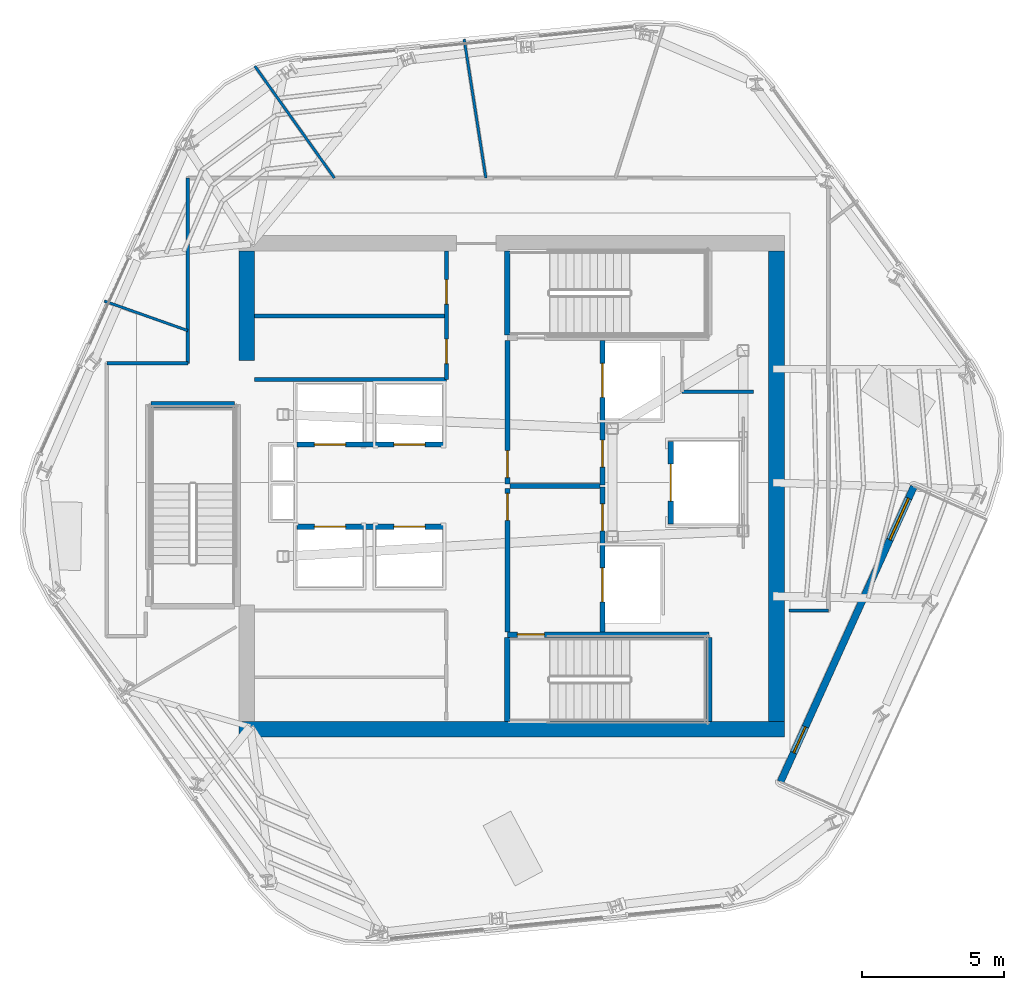
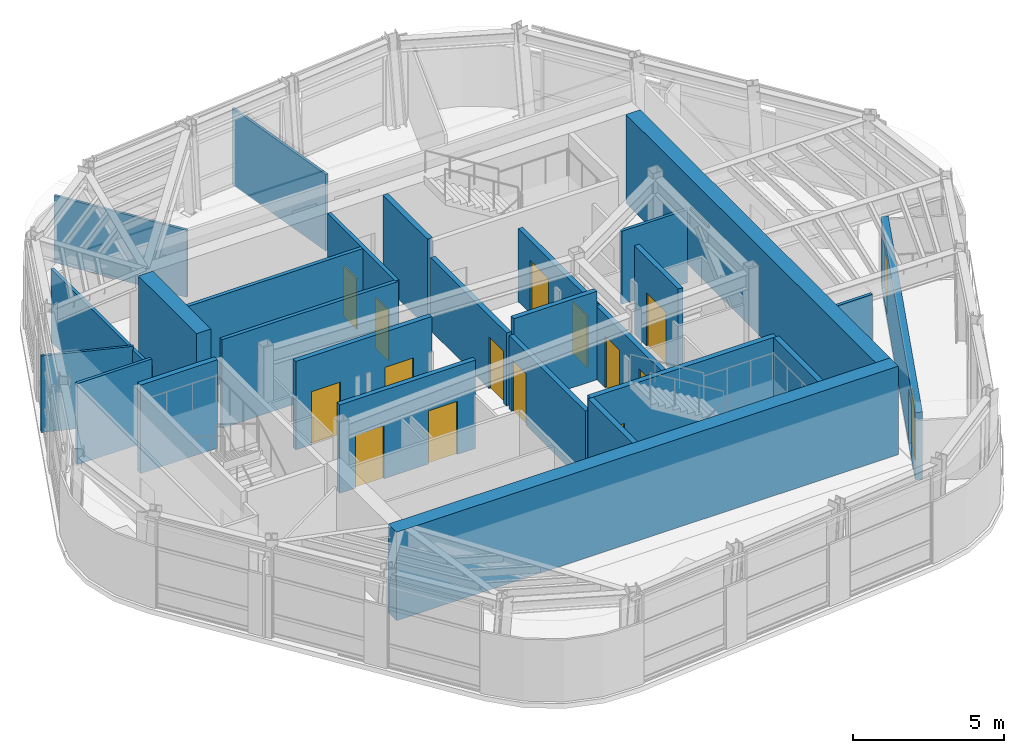
# One storey, part 6 of 12: 27 walls, 15 doors, 1 window, 16 openings.
"""IFC4 building model written with IfcOpenShell, lengths in metres."""

from ifc_helpers import new_model, si_unit, direction, frame, frame_2d, origin, place, context, subcontext, project, spatial, rectangle, extrude, material, layer, layer_set, type_object, element, fill, save


model = new_model("IFC4")

# Units and contexts
model_context = context("Model", 3, precision=1e-05, world=origin(), true_north=direction((0.0, 1.0)))
body_context = subcontext(model_context, "Body", "Model", "MODEL_VIEW")
ifc_project = project(units=[si_unit("LENGTHUNIT", "METRE"), si_unit("AREAUNIT", "SQUARE_METRE"), si_unit("VOLUMEUNIT", "CUBIC_METRE"), si_unit("PLANEANGLEUNIT", "RADIAN"), si_unit("MASSUNIT", "GRAM", prefix="KILO")], contexts=[model_context])

# Site, building, storey
site_placement = place(None, origin())
site = spatial("IfcSite", under=ifc_project, at=site_placement, CompositionType="ELEMENT")
building_placement = place(site_placement, origin())
building = spatial("IfcBuilding", under=site, at=building_placement, Name="Valkerne Bourse Tower", CompositionType="ELEMENT")
storey_placement = place(building_placement, frame((0.0, 0.0, 307.800048828125)))
storey = spatial("IfcBuildingStorey", under=building, at=storey_placement, Name="L78", CompositionType="ELEMENT", Elevation=307.800048828125)

# Walls
ifc_material_1 = material(Name="Concrete C55/67", Category="concrete")
ifc_layer_1 = layer(ifc_material_1, 0.550048828125)
ifc_layer_set_1 = layer_set([ifc_layer_1], Name="Concrete C55/67")
wall_type_1 = type_object("IfcWallType", Name="W-CORE-550", PredefinedType="SHEAR", material=ifc_layer_set_1)
wall_1_placement = place(storey_placement, frame((37.199951171875, 18.324951171875, 0.0), z_axis=(0.0, 0.0, 1.0), x_axis=(1.0, 0.0, 0.0)))
element("IfcWall", 1, at=wall_1_placement, inside=storey, type_object=wall_type_1, Name="L78 Core Shear Wall SOUTH", PredefinedType="SHEAR", context=body_context, shape_type="SweptSolid", body=[
    extrude(rectangle(XDim=19.199951171875, YDim=0.550048828125, at=frame_2d((9.60009765625, 0.0))), origin(), (0.0, 0.0, 1.0), 3.579833984375),
])
wall_2_placement = place(storey_placement, frame((56.125, 18.60009765625, 0.0), z_axis=(0.0, 0.0, 1.0), x_axis=(0.0, 1.0, 0.0)))
element("IfcWall", 2, at=wall_2_placement, inside=storey, type_object=wall_type_1, Name="L78 Core Shear Wall EAST", PredefinedType="SHEAR", context=body_context, shape_type="SweptSolid", body=[
    extrude(rectangle(XDim=16.5498046875, YDim=0.550048828125, at=frame_2d((8.27490234375, 0.0))), origin(), (0.0, 0.0, 1.0), 3.579833984375),
])
wall_3_placement = place(storey_placement, frame((37.47509765625, 31.300048828125, 0.0), z_axis=(0.0, 0.0, 1.0), x_axis=(0.0, 1.0, 0.0)))
element("IfcWall", 3, at=wall_3_placement, inside=storey, type_object=wall_type_1, Name="L78 Core Shear Wall WEST-N", PredefinedType="SHEAR", context=body_context, shape_type="SweptSolid", body=[
    extrude(rectangle(XDim=3.849853515625, YDim=0.550048828125, at=frame_2d((1.9248046875, 0.0))), origin(), (0.0, 0.0, 1.0), 3.579833984375),
])
ifc_material_2 = material(Name="Gypsum Board Steel-Stud Partition", Category="steel")
ifc_layer_2 = layer(ifc_material_2, 0.117919921875)
ifc_layer_set_2 = layer_set([ifc_layer_2], Name="Gypsum Board Steel-Stud Partition")
wall_type_2 = type_object("IfcWallType", Name="W-CORR-140", PredefinedType="PARTITIONING", material=ifc_layer_set_2)
wall_4_placement = place(storey_placement, frame((52.800048828125, 30.199951171875, 0.0), z_axis=(0.0, 0.0, 1.0), x_axis=(1.0, 0.0, 0.0)))
element("IfcWall", 4, at=wall_4_placement, inside=storey, type_object=wall_type_2, Name="L78 Core NE Bay South Wall", PredefinedType="PARTITIONING", context=body_context, shape_type="SweptSolid", body=[
    extrude(rectangle(XDim=2.52001953125, YDim=0.117919921875, at=frame_2d((1.260009765625, 0.0))), origin(), (0.0, 0.0, 1.0), 2.957763671875),
])
wall_5_placement = place(storey_placement, frame((35.39990234375, 31.199951171875, 0.0), z_axis=(0.0, 0.0, 1.0), x_axis=(0.0, 1.0, 0.0)))
element("IfcWall", 5, at=wall_5_placement, inside=storey, type_object=wall_type_2, Name="L78 Corridor Enclosure Wall", PredefinedType="PARTITIONING", context=body_context, shape_type="SweptSolid", body=[
    extrude(rectangle(XDim=6.52001953125, YDim=0.117919921875, at=frame_2d((3.260009765625, 0.0))), origin(), (0.0, 0.0, 1.0), 2.962890625),
])
wall_6_placement = place(storey_placement, frame((57.949951171875, 22.5, 0.0), z_axis=(0.0, 0.0, 1.0), x_axis=(-1.0, 0.0, 0.0)))
element("IfcWall", 6, at=wall_6_placement, inside=storey, type_object=wall_type_2, Name="L78 Corridor Enclosure Wall", PredefinedType="PARTITIONING", context=body_context, shape_type="SweptSolid", body=[
    extrude(rectangle(XDim=1.389892578125, YDim=0.117919921875, at=frame_2d((0.69482421875, 0.0))), origin(), (0.0, 0.0, 1.0), 3.280029296875),
])
wall_7_placement = place(storey_placement, frame((32.550048828125, 31.199951171875, 0.0), z_axis=(0.0, 0.0, 1.0), x_axis=(1.0, 0.0, 0.0)))
element("IfcWall", 7, at=wall_7_placement, inside=storey, type_object=wall_type_2, Name="L78 Corridor Enclosure Wall", PredefinedType="PARTITIONING", context=body_context, shape_type="SweptSolid", body=[
    extrude(rectangle(XDim=2.849853515625, YDim=0.117919921875, at=frame_2d((1.4248046875, 0.0))), origin(), (0.0, 0.0, 1.0), 3.280029296875),
])

# Wall, openings, door, window
ifc_material_3 = material(Name="Bronze Anodised Aluminium AA 6063-T6", Category="aluminium")
ifc_layer_3 = layer(ifc_material_3, 0.25)
ifc_layer_set_3 = layer_set([ifc_layer_3], Name="Bronze Anodised Aluminium AA 6063-T6")
wall_type_3 = type_object("IfcWallType", Name="W-EXT-TER-250", PredefinedType="STANDARD", material=ifc_layer_set_3)
wall_8_placement = place(storey_placement, frame((56.267578125, 16.47119140625, 0.0), z_axis=(0.0, 0.0, 1.0), x_axis=(0.411528193386, 0.911397029866, 0.0)))
wall_8 = element("IfcWall", 8, at=wall_8_placement, inside=storey, type_object=wall_type_3, Name="L78 V-Notch Terrace Glazed Access Wall", PredefinedType="STANDARD", context=body_context, shape_type="SweptSolid", body=[
    extrude(rectangle(XDim=11.39990234375, YDim=0.25, at=frame_2d((5.699951171875, 0.0))), origin(), (0.0, 0.0, 1.0), 2.71533203125),
])
opening_1_placement = place(wall_8_placement, frame((1.1201171875, 0.0, 0.0)))
opening_1 = element("IfcOpeningElement", 9, at=opening_1_placement, cuts=wall_8, Name="Opening DT-1000", PredefinedType="OPENING", context=body_context, shape_type="SweptSolid", body=[
    extrude(rectangle(XDim=1.0, YDim=2.199951171875, at=frame_2d((0.5, 1.10009765625))), frame((0.0, 0.135009765625, 0.0), z_axis=(0.0, -1.0, 0.0), x_axis=(1.0, 0.0, 0.0)), (0.0, 0.0, 1.0), 0.27001953125),
])
opening_2_placement = place(wall_8_placement, frame((9.35009765625, 0.0, 0.14990234375)))
opening_2 = element("IfcOpeningElement", 10, at=opening_2_placement, cuts=wall_8, Name="Opening WN-04", PredefinedType="OPENING", context=body_context, shape_type="SweptSolid", body=[
    extrude(rectangle(XDim=1.60009765625, YDim=2.199951171875, at=frame_2d((0.800048828125, 1.10009765625))), frame((0.0, 0.135009765625, 0.0), z_axis=(0.0, -1.0, 0.0), x_axis=(1.0, 0.0, 0.0)), (0.0, 0.0, 1.0), 0.27001953125),
])
ifc_material_4 = material(Name="Glass IGU Low-E Double Glazed", Category="glass")
door_type_1 = type_object("IfcDoorType", Name="DR-EXT-TER-1000", OperationType="NOTDEFINED", PredefinedType="DOOR", material=ifc_material_4)
door_1_placement = place(opening_1_placement, origin())
door_1 = element("IfcDoor", 11, at=door_1_placement, inside=storey, type_object=door_type_1, Name="L78 V-Notch Outdoor Terrace Access Door", OperationType="SINGLE_SWING_LEFT", OverallHeight=2.199951171875, OverallWidth=1.0, PredefinedType="DOOR", context=body_context, shape_type="SweptSolid", body=[
    extrude(rectangle(XDim=1.0, YDim=2.199951171875, at=frame_2d((0.5, 1.10009765625))), frame((0.0, 0.02490234375, 0.0), z_axis=(0.0, -1.0, 0.0), x_axis=(1.0, 0.0, 0.0)), (0.0, 0.0, 1.0), 0.050048828125),
])
fill(opening_1, door_1)
window_type = type_object("IfcWindowType", Name="WIN-TER-1600X2200", PartitioningType="SINGLE_PANEL", PredefinedType="WINDOW", material=ifc_material_4)
window_placement = place(opening_2_placement, origin())
window = element("IfcWindow", 12, at=window_placement, inside=storey, type_object=window_type, Name="L78 V-Notch Terrace Sidelight Window", OverallHeight=2.199951171875, OverallWidth=1.60009765625, PartitioningType="SINGLE_PANEL", PredefinedType="WINDOW", context=body_context, shape_type="SweptSolid", body=[
    extrude(rectangle(XDim=1.60009765625, YDim=2.199951171875, at=frame_2d((0.800048828125, 1.10009765625))), frame((0.0, 0.030029296875, 0.0), z_axis=(0.0, -1.0, 0.0), x_axis=(1.0, 0.0, 0.0)), (0.0, 0.0, 1.0), 0.06005859375),
])
fill(opening_2, window)

# Wall
ifc_material_5 = material(Name="Gypsum Fire-Rated Shaftwall", Category="gypsum")
ifc_layer_4 = layer(ifc_material_5, 0.179931640625)
ifc_layer_set_4 = layer_set([ifc_layer_4], Name="Gypsum Fire-Rated Shaftwall")
wall_type_4 = type_object("IfcWallType", Name="W-FSAE-180", PredefinedType="PARTITIONING", material=ifc_layer_set_4)
wall_9_placement = place(storey_placement, frame((46.739990234375, 26.8798828125, 0.0), z_axis=(0.0, 0.0, 1.0), x_axis=(1.0, 0.0, 0.0)))
element("IfcWall", 13, at=wall_9_placement, inside=storey, type_object=wall_type_4, Name="L78 FSAE-1/2 Lobby Dividing Fire Wall", PredefinedType="PARTITIONING", context=body_context, shape_type="SweptSolid", body=[
    extrude(rectangle(XDim=3.169921875, YDim=0.179931640625, at=frame_2d((1.5849609375, 0.0))), origin(), (0.0, 0.0, 1.0), 3.579833984375),
])

# Wall, opening, door
wall_10_placement = place(storey_placement, frame((46.64990234375, 21.75, 0.0), z_axis=(0.0, 0.0, 1.0), x_axis=(0.0, 1.0, 0.0)))
wall_10 = element("IfcWall", 14, at=wall_10_placement, inside=storey, type_object=wall_type_4, Name="L78 FSAE-1 Lobby West Fire Wall", PredefinedType="PARTITIONING", context=body_context, shape_type="SweptSolid", body=[
    extrude(rectangle(XDim=5.050048828125, YDim=0.179931640625, at=frame_2d((2.52490234375, 0.0))), origin(), (0.0, 0.0, 1.0), 2.957763671875),
])
opening_3_placement = place(wall_10_placement, frame((3.919921875, 0.0, 0.0)))
opening_3 = element("IfcOpeningElement", 15, at=opening_3_placement, cuts=wall_10, Name="Opening D-FS-950", PredefinedType="OPENING", context=body_context, shape_type="SweptSolid", body=[
    extrude(rectangle(XDim=0.949951171875, YDim=2.10009765625, at=frame_2d((0.47509765625, 1.050048828125))), frame((0.0, 0.099853515625, 0.0), z_axis=(0.0, -1.0, 0.0), x_axis=(1.0, 0.0, 0.0)), (0.0, 0.0, 1.0), 0.199951171875),
])
ifc_material_6 = material(Name="Galvanised Painted Steel", Category="steel")
door_type_2 = type_object("IfcDoorType", Name="DR-FSAE-950", OperationType="NOTDEFINED", PredefinedType="DOOR", material=ifc_material_6)
door_2_placement = place(opening_3_placement, origin())
door_2 = element("IfcDoor", 16, at=door_2_placement, inside=storey, type_object=door_type_2, Name="L78 FSAE-1 Hall Link Fire Door", OperationType="SINGLE_SWING_RIGHT", OverallHeight=2.10009765625, OverallWidth=0.949951171875, PredefinedType="DOOR", context=body_context, shape_type="SweptSolid", body=[
    extrude(rectangle(XDim=0.949951171875, YDim=2.10009765625, at=frame_2d((0.47509765625, 1.050048828125))), frame((0.0, 0.02490234375, 0.0), z_axis=(0.0, -1.0, 0.0), x_axis=(1.0, 0.0, 0.0)), (0.0, 0.0, 1.0), 0.050048828125),
])
fill(opening_3, door_2)

wall_11_placement = place(storey_placement, frame((46.64990234375, 26.9599609375, 0.0), z_axis=(0.0, 0.0, 1.0), x_axis=(0.0, 1.0, 0.0)))
wall_11 = element("IfcWall", 17, at=wall_11_placement, inside=storey, type_object=wall_type_4, Name="L78 FSAE-2 Lobby West Fire Wall", PredefinedType="PARTITIONING", context=body_context, shape_type="SweptSolid", body=[
    extrude(rectangle(XDim=5.0400390625, YDim=0.179931640625, at=frame_2d((2.52001953125, 0.0))), origin(), (0.0, 0.0, 1.0), 2.957763671875),
])
opening_4_placement = place(wall_11_placement, frame((0.219970703125, 0.0, 0.0)))
opening_4 = element("IfcOpeningElement", 18, at=opening_4_placement, cuts=wall_11, Name="Opening D-FS-950", PredefinedType="OPENING", context=body_context, shape_type="SweptSolid", body=[
    extrude(rectangle(XDim=0.949951171875, YDim=2.10009765625, at=frame_2d((0.47509765625, 1.050048828125))), frame((0.0, 0.099853515625, 0.0), z_axis=(0.0, -1.0, 0.0), x_axis=(1.0, 0.0, 0.0)), (0.0, 0.0, 1.0), 0.199951171875),
])
door_3_placement = place(opening_4_placement, origin())
door_3 = element("IfcDoor", 19, at=door_3_placement, inside=storey, type_object=door_type_2, Name="L78 FSAE-2 Hall Link Fire Door", OperationType="SINGLE_SWING_RIGHT", OverallHeight=2.10009765625, OverallWidth=0.949951171875, PredefinedType="DOOR", context=body_context, shape_type="SweptSolid", body=[
    extrude(rectangle(XDim=0.949951171875, YDim=2.10009765625, at=frame_2d((0.47509765625, 1.050048828125))), frame((0.0, 0.02490234375, 0.0), z_axis=(0.0, -1.0, 0.0), x_axis=(1.0, 0.0, 0.0)), (0.0, 0.0, 1.0), 0.050048828125),
])
fill(opening_4, door_3)

# Wall, openings, doors
wall_12_placement = place(storey_placement, frame((50.0, 21.75, 0.0), z_axis=(0.0, 0.0, 1.0), x_axis=(0.0, 1.0, 0.0)))
wall_12 = element("IfcWall", 20, at=wall_12_placement, inside=storey, type_object=wall_type_4, Name="L78 FSAE-1 Lobby & Shaft Front Wall", PredefinedType="PARTITIONING", context=body_context, shape_type="SweptSolid", body=[
    extrude(rectangle(XDim=5.090087890625, YDim=0.179931640625, at=frame_2d((2.544921875, 0.0))), origin(), (0.0, 0.0, 1.0), 2.957763671875),
])
opening_5_placement = place(wall_12_placement, frame((1.050048828125, 0.0, 0.0)))
opening_5 = element("IfcOpeningElement", 21, at=opening_5_placement, cuts=wall_12, Name="Opening LD-1200", PredefinedType="OPENING", context=body_context, shape_type="SweptSolid", body=[
    extrude(rectangle(XDim=1.199951171875, YDim=2.14990234375, at=frame_2d((0.60009765625, 1.074951171875))), frame((0.0, 0.099853515625, 0.0), z_axis=(0.0, -1.0, 0.0), x_axis=(1.0, 0.0, 0.0)), (0.0, 0.0, 1.0), 0.199951171875),
])
opening_6_placement = place(wall_12_placement, frame((3.550048828125, 0.0, 0.0)))
opening_6 = element("IfcOpeningElement", 22, at=opening_6_placement, cuts=wall_12, Name="Opening D-FS-950", PredefinedType="OPENING", context=body_context, shape_type="SweptSolid", body=[
    extrude(rectangle(XDim=0.949951171875, YDim=2.10009765625, at=frame_2d((0.47509765625, 1.050048828125))), frame((0.0, 0.099853515625, 0.0), z_axis=(0.0, -1.0, 0.0), x_axis=(1.0, 0.0, 0.0)), (0.0, 0.0, 1.0), 0.199951171875),
])
door_4_placement = place(opening_6_placement, origin())
door_4 = element("IfcDoor", 23, at=door_4_placement, inside=storey, type_object=door_type_2, Name="L78 FSAE-1 Lobby Corridor Fire Door", OperationType="SINGLE_SWING_RIGHT", OverallHeight=2.10009765625, OverallWidth=0.949951171875, PredefinedType="DOOR", context=body_context, shape_type="SweptSolid", body=[
    extrude(rectangle(XDim=0.949951171875, YDim=2.10009765625, at=frame_2d((0.47509765625, 1.050048828125))), frame((0.0, 0.02490234375, 0.0), z_axis=(0.0, -1.0, 0.0), x_axis=(1.0, 0.0, 0.0)), (0.0, 0.0, 1.0), 0.050048828125),
])
fill(opening_6, door_4)
ifc_material_7 = material(Name="Stainless Steel AISI 316", Category="steel")
door_type_3 = type_object("IfcDoorType", Name="DR-LIFT-1200", OperationType="DOUBLE_DOOR_SLIDING", PredefinedType="DOOR", material=ifc_material_7)
door_5_placement = place(opening_5_placement, origin())
door_5 = element("IfcDoor", 24, at=door_5_placement, inside=storey, type_object=door_type_3, Name="L78 FSAE-1 Firefighting Lift Landing Door", OperationType="DOUBLE_DOOR_SLIDING", OverallHeight=2.14990234375, OverallWidth=1.199951171875, PredefinedType="DOOR", context=body_context, shape_type="SweptSolid", body=[
    extrude(rectangle(XDim=1.199951171875, YDim=2.14990234375, at=frame_2d((0.60009765625, 1.074951171875))), frame((0.0, 0.02490234375, 0.0), z_axis=(0.0, -1.0, 0.0), x_axis=(1.0, 0.0, 0.0)), (0.0, 0.0, 1.0), 0.050048828125),
])
fill(opening_5, door_5)

wall_13_placement = place(storey_placement, frame((50.0, 26.919921875, 0.0), z_axis=(0.0, 0.0, 1.0), x_axis=(0.0, 1.0, 0.0)))
wall_13 = element("IfcWall", 25, at=wall_13_placement, inside=storey, type_object=wall_type_4, Name="L78 FSAE-2 Lobby & Shaft Front Wall", PredefinedType="PARTITIONING", context=body_context, shape_type="SweptSolid", body=[
    extrude(rectangle(XDim=5.080078125, YDim=0.179931640625, at=frame_2d((2.5400390625, 0.0))), origin(), (0.0, 0.0, 1.0), 2.957763671875),
])
opening_7_placement = place(wall_13_placement, frame((3.080078125, 0.0, 0.0)))
opening_7 = element("IfcOpeningElement", 26, at=opening_7_placement, cuts=wall_13, Name="Opening LD-1200", PredefinedType="OPENING", context=body_context, shape_type="SweptSolid", body=[
    extrude(rectangle(XDim=1.199951171875, YDim=2.14990234375, at=frame_2d((0.60009765625, 1.074951171875))), frame((0.0, 0.099853515625, 0.0), z_axis=(0.0, -1.0, 0.0), x_axis=(1.0, 0.0, 0.0)), (0.0, 0.0, 1.0), 0.199951171875),
])
opening_8_placement = place(wall_13_placement, frame((0.6298828125, 0.0, 0.0)))
opening_8 = element("IfcOpeningElement", 27, at=opening_8_placement, cuts=wall_13, Name="Opening D-FS-950", PredefinedType="OPENING", context=body_context, shape_type="SweptSolid", body=[
    extrude(rectangle(XDim=0.949951171875, YDim=2.10009765625, at=frame_2d((0.47509765625, 1.050048828125))), frame((0.0, 0.099853515625, 0.0), z_axis=(0.0, -1.0, 0.0), x_axis=(1.0, 0.0, 0.0)), (0.0, 0.0, 1.0), 0.199951171875),
])
door_6_placement = place(opening_8_placement, origin())
door_6 = element("IfcDoor", 28, at=door_6_placement, inside=storey, type_object=door_type_2, Name="L78 FSAE-2 Lobby Corridor Fire Door", OperationType="SINGLE_SWING_RIGHT", OverallHeight=2.10009765625, OverallWidth=0.949951171875, PredefinedType="DOOR", context=body_context, shape_type="SweptSolid", body=[
    extrude(rectangle(XDim=0.949951171875, YDim=2.10009765625, at=frame_2d((0.47509765625, 1.050048828125))), frame((0.0, 0.02490234375, 0.0), z_axis=(0.0, -1.0, 0.0), x_axis=(1.0, 0.0, 0.0)), (0.0, 0.0, 1.0), 0.050048828125),
])
fill(opening_8, door_6)
door_7_placement = place(opening_7_placement, origin())
door_7 = element("IfcDoor", 29, at=door_7_placement, inside=storey, type_object=door_type_3, Name="L78 FSAE-2 Firefighting Lift Landing Door", OperationType="DOUBLE_DOOR_SLIDING", OverallHeight=2.14990234375, OverallWidth=1.199951171875, PredefinedType="DOOR", context=body_context, shape_type="SweptSolid", body=[
    extrude(rectangle(XDim=1.199951171875, YDim=2.14990234375, at=frame_2d((0.60009765625, 1.074951171875))), frame((0.0, 0.02490234375, 0.0), z_axis=(0.0, -1.0, 0.0), x_axis=(1.0, 0.0, 0.0)), (0.0, 0.0, 1.0), 0.050048828125),
])
fill(opening_7, door_7)

# Wall, opening, door
ifc_material_8 = material(Name="CMU Blockwork Masonry 200mm", Category="masonry")
ifc_layer_5 = layer(ifc_material_8, 0.179931640625)
ifc_layer_set_5 = layer_set([ifc_layer_5], Name="CMU Blockwork Masonry 200mm")
wall_type_5 = type_object("IfcWallType", Name="W-LFT-180", PredefinedType="SOLIDWALL", material=ifc_layer_set_5)
wall_14_placement = place(storey_placement, frame((52.39990234375, 25.550048828125, 0.0), z_axis=(0.0, 0.0, 1.0), x_axis=(0.0, 1.0, 0.0)))
wall_14 = element("IfcWall", 30, at=wall_14_placement, inside=storey, type_object=wall_type_5, Name="L78 Service Lift SV-1 Front Wall", PredefinedType="SOLIDWALL", context=body_context, shape_type="SweptSolid", body=[
    extrude(rectangle(XDim=2.89990234375, YDim=0.179931640625, at=frame_2d((1.449951171875, 0.0))), origin(), (0.0, 0.0, 1.0), 3.579833984375),
])
opening_9_placement = place(wall_14_placement, frame((0.800048828125, 0.0, 0.0)))
opening_9 = element("IfcOpeningElement", 31, at=opening_9_placement, cuts=wall_14, Name="Opening LD-1300", PredefinedType="OPENING", context=body_context, shape_type="SweptSolid", body=[
    extrude(rectangle(XDim=1.300048828125, YDim=2.14990234375, at=frame_2d((0.64990234375, 1.074951171875))), frame((0.0, 0.099853515625, 0.0), z_axis=(0.0, -1.0, 0.0), x_axis=(1.0, 0.0, 0.0)), (0.0, 0.0, 1.0), 0.199951171875),
])
door_type_4 = type_object("IfcDoorType", Name="DR-LIFT-1300", OperationType="DOUBLE_DOOR_SLIDING", PredefinedType="DOOR", material=ifc_material_7)
door_8_placement = place(opening_9_placement, origin())
door_8 = element("IfcDoor", 32, at=door_8_placement, inside=storey, type_object=door_type_4, Name="L78 Service Lift SV-1 Landing Door", OperationType="DOUBLE_DOOR_SLIDING", OverallHeight=2.14990234375, OverallWidth=1.300048828125, PredefinedType="DOOR", context=body_context, shape_type="SweptSolid", body=[
    extrude(rectangle(XDim=1.300048828125, YDim=2.14990234375, at=frame_2d((0.64990234375, 1.074951171875))), frame((0.0, 0.02490234375, 0.0), z_axis=(0.0, -1.0, 0.0), x_axis=(1.0, 0.0, 0.0)), (0.0, 0.0, 1.0), 0.050048828125),
])
fill(opening_9, door_8)

# Wall, openings, doors
wall_15_placement = place(storey_placement, frame((39.25, 25.449951171875, 0.0), z_axis=(0.0, 0.0, 1.0), x_axis=(1.0, 0.0, 0.0)))
wall_15 = element("IfcWall", 33, at=wall_15_placement, inside=storey, type_object=wall_type_5, Name="L78 High-Zone South Cars Front Wall", PredefinedType="SOLIDWALL", context=body_context, shape_type="SweptSolid", body=[
    extrude(rectangle(XDim=5.199951171875, YDim=0.179931640625, at=frame_2d((2.60009765625, 0.0))), origin(), (0.0, 0.0, 1.0), 3.579833984375),
])
opening_10_placement = place(wall_15_placement, frame((0.60009765625, 0.0, 0.0)))
opening_10 = element("IfcOpeningElement", 34, at=opening_10_placement, cuts=wall_15, Name="Opening LD-1100", PredefinedType="OPENING", context=body_context, shape_type="SweptSolid", body=[
    extrude(rectangle(XDim=1.10009765625, YDim=2.14990234375, at=frame_2d((0.550048828125, 1.074951171875))), frame((0.0, 0.099853515625, 0.0), z_axis=(0.0, -1.0, 0.0), x_axis=(1.0, 0.0, 0.0)), (0.0, 0.0, 1.0), 0.199951171875),
])
opening_11_placement = place(wall_15_placement, frame((3.39990234375, 0.0, 0.0)))
opening_11 = element("IfcOpeningElement", 35, at=opening_11_placement, cuts=wall_15, Name="Opening LD-1100", PredefinedType="OPENING", context=body_context, shape_type="SweptSolid", body=[
    extrude(rectangle(XDim=1.10009765625, YDim=2.14990234375, at=frame_2d((0.550048828125, 1.074951171875))), frame((0.0, 0.099853515625, 0.0), z_axis=(0.0, -1.0, 0.0), x_axis=(1.0, 0.0, 0.0)), (0.0, 0.0, 1.0), 0.199951171875),
])
door_type_5 = type_object("IfcDoorType", Name="DR-LIFT-1100", OperationType="DOUBLE_DOOR_SLIDING", PredefinedType="DOOR", material=ifc_material_7)
door_9_placement = place(opening_10_placement, origin())
door_9 = element("IfcDoor", 36, at=door_9_placement, inside=storey, type_object=door_type_5, Name="L78 Passenger Lift PL-H1 Sliding Landing Door", OperationType="DOUBLE_DOOR_SLIDING", OverallHeight=2.14990234375, OverallWidth=1.10009765625, PredefinedType="DOOR", context=body_context, shape_type="SweptSolid", body=[
    extrude(rectangle(XDim=1.10009765625, YDim=2.14990234375, at=frame_2d((0.550048828125, 1.074951171875))), frame((0.0, 0.02490234375, 0.0), z_axis=(0.0, -1.0, 0.0), x_axis=(1.0, 0.0, 0.0)), (0.0, 0.0, 1.0), 0.050048828125),
])
fill(opening_10, door_9)
door_10_placement = place(opening_11_placement, origin())
door_10 = element("IfcDoor", 37, at=door_10_placement, inside=storey, type_object=door_type_5, Name="L78 Passenger Lift PL-H2 Sliding Landing Door", OperationType="DOUBLE_DOOR_SLIDING", OverallHeight=2.14990234375, OverallWidth=1.10009765625, PredefinedType="DOOR", context=body_context, shape_type="SweptSolid", body=[
    extrude(rectangle(XDim=1.10009765625, YDim=2.14990234375, at=frame_2d((0.550048828125, 1.074951171875))), frame((0.0, 0.02490234375, 0.0), z_axis=(0.0, -1.0, 0.0), x_axis=(1.0, 0.0, 0.0)), (0.0, 0.0, 1.0), 0.050048828125),
])
fill(opening_11, door_10)

wall_16_placement = place(storey_placement, frame((39.25, 28.35009765625, 0.0), z_axis=(0.0, 0.0, 1.0), x_axis=(1.0, 0.0, 0.0)))
wall_16 = element("IfcWall", 38, at=wall_16_placement, inside=storey, type_object=wall_type_5, Name="L78 High-Zone North Cars Front Wall", PredefinedType="SOLIDWALL", context=body_context, shape_type="SweptSolid", body=[
    extrude(rectangle(XDim=5.199951171875, YDim=0.179931640625, at=frame_2d((2.60009765625, 0.0))), origin(), (0.0, 0.0, 1.0), 3.579833984375),
])
opening_12_placement = place(wall_16_placement, frame((0.60009765625, 0.0, 0.0)))
opening_12 = element("IfcOpeningElement", 39, at=opening_12_placement, cuts=wall_16, Name="Opening LD-1100", PredefinedType="OPENING", context=body_context, shape_type="SweptSolid", body=[
    extrude(rectangle(XDim=1.10009765625, YDim=2.14990234375, at=frame_2d((0.550048828125, 1.074951171875))), frame((0.0, 0.099853515625, 0.0), z_axis=(0.0, -1.0, 0.0), x_axis=(1.0, 0.0, 0.0)), (0.0, 0.0, 1.0), 0.199951171875),
])
opening_13_placement = place(wall_16_placement, frame((3.39990234375, 0.0, 0.0)))
opening_13 = element("IfcOpeningElement", 40, at=opening_13_placement, cuts=wall_16, Name="Opening LD-1100", PredefinedType="OPENING", context=body_context, shape_type="SweptSolid", body=[
    extrude(rectangle(XDim=1.10009765625, YDim=2.14990234375, at=frame_2d((0.550048828125, 1.074951171875))), frame((0.0, 0.099853515625, 0.0), z_axis=(0.0, -1.0, 0.0), x_axis=(1.0, 0.0, 0.0)), (0.0, 0.0, 1.0), 0.199951171875),
])
door_11_placement = place(opening_12_placement, origin())
door_11 = element("IfcDoor", 41, at=door_11_placement, inside=storey, type_object=door_type_5, Name="L78 Passenger Lift PL-H3 Sliding Landing Door", OperationType="DOUBLE_DOOR_SLIDING", OverallHeight=2.14990234375, OverallWidth=1.10009765625, PredefinedType="DOOR", context=body_context, shape_type="SweptSolid", body=[
    extrude(rectangle(XDim=1.10009765625, YDim=2.14990234375, at=frame_2d((0.550048828125, 1.074951171875))), frame((0.0, 0.02490234375, 0.0), z_axis=(0.0, -1.0, 0.0), x_axis=(1.0, 0.0, 0.0)), (0.0, 0.0, 1.0), 0.050048828125),
])
fill(opening_12, door_11)
door_12_placement = place(opening_13_placement, origin())
door_12 = element("IfcDoor", 42, at=door_12_placement, inside=storey, type_object=door_type_5, Name="L78 Passenger Lift PL-H4 Sliding Landing Door", OperationType="DOUBLE_DOOR_SLIDING", OverallHeight=2.14990234375, OverallWidth=1.10009765625, PredefinedType="DOOR", context=body_context, shape_type="SweptSolid", body=[
    extrude(rectangle(XDim=1.10009765625, YDim=2.14990234375, at=frame_2d((0.550048828125, 1.074951171875))), frame((0.0, 0.02490234375, 0.0), z_axis=(0.0, -1.0, 0.0), x_axis=(1.0, 0.0, 0.0)), (0.0, 0.0, 1.0), 0.050048828125),
])
fill(opening_13, door_12)

# Walls
ifc_layer_6 = layer(ifc_material_2, 0.092041015625)
ifc_layer_set_6 = layer_set([ifc_layer_6], Name="Gypsum Board Steel-Stud Partition")
wall_type_6 = type_object("IfcWallType", Name="W-PART-115", PredefinedType="PARTITIONING", material=ifc_layer_set_6)
wall_17_placement = place(storey_placement, frame((45.892822265625, 37.72509765625, 0.0), z_axis=(0.0, 0.0, 1.0), x_axis=(-0.154748680436, 0.987953868307, 0.0)))
element("IfcWall", 43, at=wall_17_placement, inside=storey, type_object=wall_type_6, Name="L78 Suite Partition P02", PredefinedType="PARTITIONING", context=body_context, shape_type="SweptSolid", body=[
    extrude(rectangle(XDim=4.947509765625, YDim=0.092041015625, at=frame_2d((2.4736328125, 0.0))), origin(), (0.0, 0.0, 1.0), 3.094970703125),
])
wall_18_placement = place(storey_placement, frame((40.559814453125, 37.72509765625, 0.0), z_axis=(0.0, 0.0, 1.0), x_axis=(-0.579274210262, 0.815132743377, 0.0)))
element("IfcWall", 44, at=wall_18_placement, inside=storey, type_object=wall_type_6, Name="L78 Suite Partition P03", PredefinedType="PARTITIONING", context=body_context, shape_type="SweptSolid", body=[
    extrude(rectangle(XDim=4.837158203125, YDim=0.092041015625, at=frame_2d((2.41845703125, 0.0))), origin(), (0.0, 0.0, 1.0), 2.71142578125),
])
wall_19_placement = place(storey_placement, frame((35.39501953125, 32.3544921875, 0.0), z_axis=(0.0, 0.0, 1.0), x_axis=(-0.94254085466, 0.334090911723, 0.0)))
element("IfcWall", 45, at=wall_19_placement, inside=storey, type_object=wall_type_6, Name="L78 Suite Partition P04", PredefinedType="PARTITIONING", context=body_context, shape_type="SweptSolid", body=[
    extrude(rectangle(XDim=3.114501953125, YDim=0.092041015625, at=frame_2d((1.55712890625, 0.0))), origin(), (0.0, 0.0, 1.0), 3.094970703125),
])

# Wall, opening, door
ifc_material_9 = material(Name="Concrete C40/50", Category="concrete")
ifc_layer_7 = layer(ifc_material_9, 0.199951171875)
ifc_layer_set_7 = layer_set([ifc_layer_7], Name="Concrete C40/50")
wall_type_7 = type_object("IfcWallType", Name="W-SHF-200", PredefinedType="SHEAR", material=ifc_layer_set_7)
wall_20_placement = place(storey_placement, frame((46.64990234375, 21.64990234375, 0.0), z_axis=(0.0, 0.0, 1.0), x_axis=(1.0, 0.0, 0.0)))
wall_20 = element("IfcWall", 46, at=wall_20_placement, inside=storey, type_object=wall_type_7, Name="L78 Exit Stair ST-1 Structural Shaft Wall North", PredefinedType="SHEAR", context=body_context, shape_type="SweptSolid", body=[
    extrude(rectangle(XDim=7.10009765625, YDim=0.199951171875, at=frame_2d((3.550048828125, 0.0))), origin(), (0.0, 0.0, 1.0), 3.579833984375),
])
opening_14_placement = place(wall_20_placement, frame((0.35009765625, 0.0, 0.0)))
opening_14 = element("IfcOpeningElement", 47, at=opening_14_placement, cuts=wall_20, Name="Opening D-ST-950", PredefinedType="OPENING", context=body_context, shape_type="SweptSolid", body=[
    extrude(rectangle(XDim=0.949951171875, YDim=2.10009765625, at=frame_2d((0.47509765625, 1.050048828125))), frame((0.0, 0.10986328125, 0.0), z_axis=(0.0, -1.0, 0.0), x_axis=(1.0, 0.0, 0.0)), (0.0, 0.0, 1.0), 0.219970703125),
])
door_type_6 = type_object("IfcDoorType", Name="DR-STAIR-950", OperationType="NOTDEFINED", PredefinedType="DOOR", material=ifc_material_6)
door_13_placement = place(opening_14_placement, origin())
door_13 = element("IfcDoor", 48, at=door_13_placement, inside=storey, type_object=door_type_6, Name="L78 Exit Stair ST-1 Door", OperationType="SINGLE_SWING_LEFT", OverallHeight=2.10009765625, OverallWidth=0.949951171875, PredefinedType="DOOR", context=body_context, shape_type="SweptSolid", body=[
    extrude(rectangle(XDim=0.949951171875, YDim=2.10009765625, at=frame_2d((0.47509765625, 1.050048828125))), frame((0.0, 0.02490234375, 0.0), z_axis=(0.0, -1.0, 0.0), x_axis=(1.0, 0.0, 0.0)), (0.0, 0.0, 1.0), 0.050048828125),
])
fill(opening_14, door_13)

# Walls
for number, where, z_axis, x_axis, name in (
    (49, (46.64990234375, 18.60009765625, 0.0), (0.0, 0.0, 1.0), (0.0, 1.0, 0.0), "L78 Exit Stair ST-1 Structural Shaft Wall West"),
    (50, (53.75, 18.60009765625, 0.0), (0.0, 0.0, 1.0), (0.0, 1.0, 0.0), "L78 Exit Stair ST-1 Structural Shaft Wall East"),
    (51, (46.64990234375, 32.199951171875, 0.0), (0.0, 0.0, 1.0), (0.0, 1.0, 0.0), "L78 Exit Stair ST-2 Structural Shaft Wall West"),
    (52, (34.10009765625, 29.75, 0.0), (0.0, 0.0, 1.0), (1.0, 0.0, 0.0), "L78 Exit Stair ST-3 Structural Shaft Wall North"),
):
    element("IfcWall", number, at=place(storey_placement, frame(where, z_axis=z_axis, x_axis=x_axis)), inside=storey, type_object=wall_type_7, Name=name, PredefinedType="SHEAR", context=body_context, shape_type="SweptSolid", body=[
        extrude(rectangle(XDim=2.949951171875, YDim=0.199951171875, at=frame_2d((1.47509765625, 0.0))), origin(), (0.0, 0.0, 1.0), 3.579833984375),
    ])

# Wall, openings, doors
ifc_material_10 = material(Name="Moisture-Resistant Gypsum Partition", Category="gypsum")
ifc_layer_8 = layer(ifc_material_10, 0.139892578125)
ifc_layer_set_8 = layer_set([ifc_layer_8], Name="Moisture-Resistant Gypsum Partition")
wall_type_8 = type_object("IfcWallType", Name="W-WET-140", PredefinedType="PARTITIONING", material=ifc_layer_set_8)
wall_21_placement = place(storey_placement, frame((44.5, 30.639892578125, 0.0), z_axis=(0.0, 0.0, 1.0), x_axis=(0.0, 1.0, 0.0)))
wall_21 = element("IfcWall", 53, at=wall_21_placement, inside=storey, type_object=wall_type_8, Name="L78 LV7 Mid-Bank East Wall", PredefinedType="PARTITIONING", context=body_context, shape_type="SweptSolid", body=[
    extrude(rectangle(XDim=4.510009765625, YDim=0.139892578125, at=frame_2d((2.2548828125, 0.0))), origin(), (0.0, 0.0, 1.0), 3.579833984375),
])
opening_15_placement = place(wall_21_placement, frame((0.550048828125, 0.0, 0.0)))
opening_15 = element("IfcOpeningElement", 54, at=opening_15_placement, cuts=wall_21, Name="Opening D-WC-900", PredefinedType="OPENING", context=body_context, shape_type="SweptSolid", body=[
    extrude(rectangle(XDim=0.860107421875, YDim=2.050048828125, at=frame_2d((0.43017578125, 1.02490234375))), frame((0.0, 0.079833984375, 0.0), z_axis=(0.0, -1.0, 0.0), x_axis=(1.0, 0.0, 0.0)), (0.0, 0.0, 1.0), 0.159912109375),
])
opening_16_placement = place(wall_21_placement, frame((2.64990234375, 0.0, 0.0)))
opening_16 = element("IfcOpeningElement", 55, at=opening_16_placement, cuts=wall_21, Name="Opening D-WC-900", PredefinedType="OPENING", context=body_context, shape_type="SweptSolid", body=[
    extrude(rectangle(XDim=0.860107421875, YDim=2.050048828125, at=frame_2d((0.43017578125, 1.02490234375))), frame((0.0, 0.079833984375, 0.0), z_axis=(0.0, -1.0, 0.0), x_axis=(1.0, 0.0, 0.0)), (0.0, 0.0, 1.0), 0.159912109375),
])
ifc_material_11 = material(Name="Architectural White Oak Timber", Category="wood")
door_type_7 = type_object("IfcDoorType", Name="DR-WC-900", OperationType="NOTDEFINED", PredefinedType="DOOR", material=ifc_material_11)
door_14_placement = place(opening_15_placement, origin())
door_14 = element("IfcDoor", 56, at=door_14_placement, inside=storey, type_object=door_type_7, Name="L78 Executive Kitchen Door", OperationType="SINGLE_SWING_RIGHT", OverallHeight=2.050048828125, OverallWidth=0.860107421875, PredefinedType="DOOR", context=body_context, shape_type="SweptSolid", body=[
    extrude(rectangle(XDim=0.860107421875, YDim=2.050048828125, at=frame_2d((0.43017578125, 1.02490234375))), frame((0.0, 0.02490234375, 0.0), z_axis=(0.0, -1.0, 0.0), x_axis=(1.0, 0.0, 0.0)), (0.0, 0.0, 1.0), 0.050048828125),
])
fill(opening_15, door_14)
door_15_placement = place(opening_16_placement, origin())
door_15 = element("IfcDoor", 57, at=door_15_placement, inside=storey, type_object=door_type_7, Name="L78 Executive Briefing Office Door", OperationType="SINGLE_SWING_RIGHT", OverallHeight=2.050048828125, OverallWidth=0.860107421875, PredefinedType="DOOR", context=body_context, shape_type="SweptSolid", body=[
    extrude(rectangle(XDim=0.860107421875, YDim=2.050048828125, at=frame_2d((0.43017578125, 1.02490234375))), frame((0.0, 0.02490234375, 0.0), z_axis=(0.0, -1.0, 0.0), x_axis=(1.0, 0.0, 0.0)), (0.0, 0.0, 1.0), 0.050048828125),
])
fill(opening_16, door_15)

# Walls
for number, where, z_axis, x_axis, name in (
    (58, (37.75, 32.8701171875, 0.0), (0.0, 0.0, 1.0), (1.0, 0.0, 0.0), "L78 LV7 Mid-Bank Sub-Divider"),
    (59, (37.75, 30.639892578125, 0.0), (0.0, 0.0, 1.0), (1.0, 0.0, 0.0), "L78 LV7 Mid-Bank South Wall"),
):
    element("IfcWall", number, at=place(storey_placement, frame(where, z_axis=z_axis, x_axis=x_axis)), inside=storey, type_object=wall_type_8, Name=name, PredefinedType="PARTITIONING", context=body_context, shape_type="SweptSolid", body=[
        extrude(rectangle(XDim=6.75, YDim=0.139892578125, at=frame_2d((3.375, 0.0))), origin(), (0.0, 0.0, 1.0), 3.579833984375),
    ])

save(model, "model.ifc")
